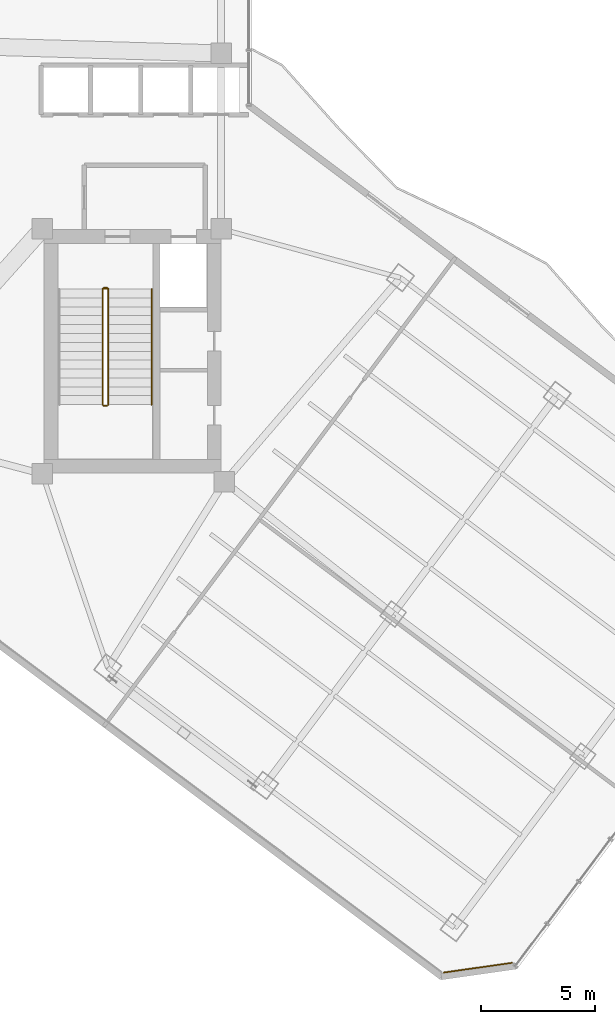
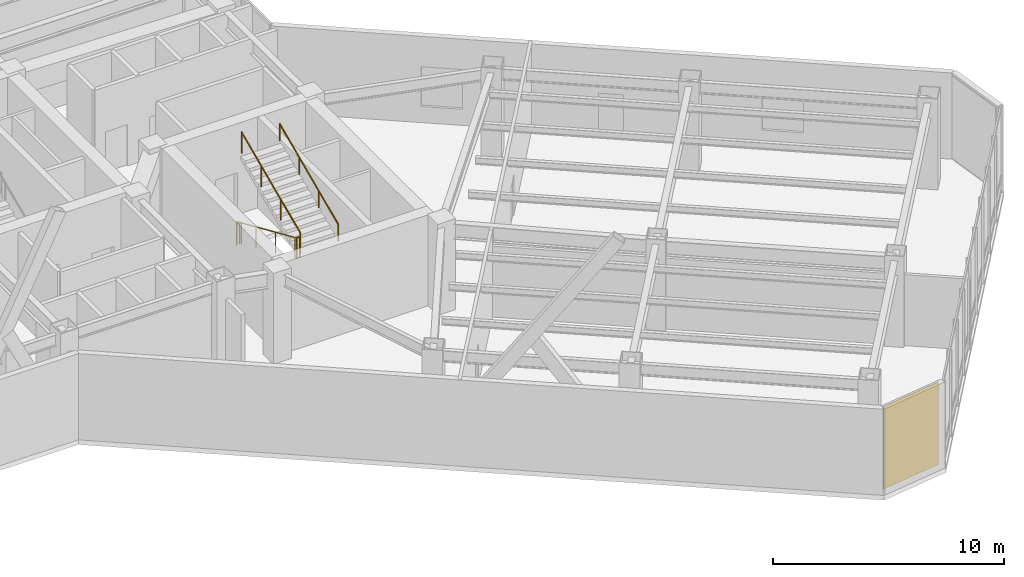
# One storey, part 24 of 27: 6 railings, 1 covering.
"""IFC4 building model written with IfcOpenShell, lengths in metres."""

from ifc_helpers import new_model, si_unit, direction, frame, origin, origin_2d, place, context, subcontext, project, spatial, rectangle, circle, extrude, material, layer, layer_set, type_object, element, save


model = new_model("IFC4")

# Units and contexts
model_context = context("Model", 3, precision=1e-05, world=origin(), true_north=direction((0.0, 1.0)))
body_context = subcontext(model_context, "Body", "Model", "MODEL_VIEW")
ifc_project = project(units=[si_unit("LENGTHUNIT", "METRE"), si_unit("AREAUNIT", "SQUARE_METRE"), si_unit("VOLUMEUNIT", "CUBIC_METRE"), si_unit("PLANEANGLEUNIT", "RADIAN"), si_unit("MASSUNIT", "GRAM", prefix="KILO")], contexts=[model_context])

# Site, building, storey
site_placement = place(None, origin())
site = spatial("IfcSite", under=ifc_project, at=site_placement, CompositionType="ELEMENT")
building_placement = place(site_placement, origin())
building = spatial("IfcBuilding", under=site, at=building_placement, Name="Hatsunagi Terrace Concourse", CompositionType="ELEMENT")
storey_placement = place(building_placement, frame((0.0, 0.0, 96.449951171875)))
storey = spatial("IfcBuildingStorey", under=building, at=storey_placement, Name="L25", CompositionType="ELEMENT", Elevation=96.449951171875)

# Railings
ifc_material_1 = material(Name="Stainless steel", Category="steel")
ifc_layer_1 = layer(ifc_material_1, 0.044921875)
ifc_layer_set_1 = layer_set([ifc_layer_1], Name="StairPitchHandrail_Tower2000")
railing_type_1 = type_object("IfcRailingType", Name="StairPitchHandrail_Tower2000", PredefinedType="HANDRAIL", material=ifc_layer_set_1)
railing_1_placement = place(storey_placement, frame((40.60009765625, 27.590087890625, 2.571533203125)))
element("IfcRailing", 1, at=railing_1_placement, inside=storey, type_object=railing_type_1, Name="L25 ST-B stair handrail 2", PredefinedType="HANDRAIL", context=body_context, shape_type="SweptSolid", body=[
    extrude(circle(Radius=0.02392578125, at=origin_2d()), frame((0.0, 0.0, 0.8759765625), z_axis=(0.0, 0.915461880969, 0.402404702373), x_axis=(-1.0, 0.0, 0.0)), (0.0, 0.0, 1.0), 5.5380859375),
    extrude(circle(Radius=0.02099609375, at=origin_2d()), origin(), (0.0, 0.0, 1.0), 0.851806640625),
    extrude(circle(Radius=0.02099609375, at=origin_2d()), frame((0.0, 1.68994140625, 0.742919921875)), (0.0, 0.0, 1.0), 0.851806640625),
    extrude(circle(Radius=0.02099609375, at=origin_2d()), frame((0.0, 3.3798828125, 1.485595703125)), (0.0, 0.0, 1.0), 0.851806640625),
    extrude(circle(Radius=0.02099609375, at=origin_2d()), frame((0.0, 5.06982421875, 2.228515625)), (0.0, 0.0, 1.0), 0.851806640625),
])
ifc_material_2 = material(Name="Stainless steel", Category="steel")
ifc_layer_2 = layer(ifc_material_2, 0.06005859375)
ifc_layer_set_2 = layer_set([ifc_layer_2], Name="StairWellGuard_Tower2000")
railing_type_2 = type_object("IfcRailingType", Name="StairWellGuard_Tower2000", PredefinedType="BALUSTRADE", material=ifc_layer_set_2)
railing_2_placement = place(storey_placement, frame((38.449951171875, 32.659912109375, 0.17138671875)))
element("IfcRailing", 2, at=railing_2_placement, inside=storey, type_object=railing_type_2, Name="L25 ST-B stair guard 1", PredefinedType="BALUSTRADE", context=body_context, shape_type="SweptSolid", body=[
    extrude(circle(Radius=0.02392578125, at=origin_2d()), frame((0.0, 0.0, 1.09619140625), z_axis=(0.0, -0.915445640336, 0.402441647435), x_axis=(1.0, 0.0, 0.0)), (0.0, 0.0, 1.0), 5.5380859375),
    extrude(circle(Radius=0.02099609375, at=origin_2d()), origin(), (0.0, 0.0, 1.0), 1.072021484375),
    extrude(circle(Radius=0.02099609375, at=origin_2d()), frame((0.0, -1.68994140625, 0.742919921875)), (0.0, 0.0, 1.0), 1.072021484375),
    extrude(circle(Radius=0.02099609375, at=origin_2d()), frame((0.0, -3.3798828125, 1.48583984375)), (0.0, 0.0, 1.0), 1.072021484375),
    extrude(circle(Radius=0.02099609375, at=origin_2d()), frame((0.0, -5.06982421875, 2.228759765625)), (0.0, 0.0, 1.0), 1.072021484375),
])
railing_3_placement = place(storey_placement, frame((38.5, 27.5400390625, 2.400146484375)))
element("IfcRailing", 3, at=railing_3_placement, inside=storey, type_object=railing_type_2, Name="L25 ST-B stair guard 2", PredefinedType="BALUSTRADE", context=body_context, shape_type="SweptSolid", body=[
    extrude(circle(Radius=0.02392578125, at=origin_2d()), frame((0.0, 0.0, 1.09619140625), z_axis=(1.0, 0.0, 0.0), x_axis=(0.0, 1.0, 0.0)), (0.0, 0.0, 1.0), 0.14990234375),
    extrude(circle(Radius=0.02099609375, at=origin_2d()), origin(), (0.0, 0.0, 1.0), 1.072021484375),
    extrude(circle(Radius=0.02099609375, at=origin_2d()), frame((0.14990234375, 0.0, 0.0)), (0.0, 0.0, 1.0), 1.072021484375),
])
railing_4_placement = place(storey_placement, frame((38.699951171875, 27.590087890625, 2.571533203125)))
element("IfcRailing", 4, at=railing_4_placement, inside=storey, type_object=railing_type_2, Name="L25 ST-B stair guard 3", PredefinedType="BALUSTRADE", context=body_context, shape_type="SweptSolid", body=[
    extrude(circle(Radius=0.02392578125, at=origin_2d()), frame((0.0, 0.0, 1.09619140625), z_axis=(0.0, 0.915461880969, 0.402404702373), x_axis=(-1.0, 0.0, 0.0)), (0.0, 0.0, 1.0), 5.5380859375),
    extrude(circle(Radius=0.02099609375, at=origin_2d()), origin(), (0.0, 0.0, 1.0), 1.072021484375),
    extrude(circle(Radius=0.02099609375, at=origin_2d()), frame((0.0, 1.68994140625, 0.742919921875)), (0.0, 0.0, 1.0), 1.072021484375),
    extrude(circle(Radius=0.02099609375, at=origin_2d()), frame((0.0, 3.3798828125, 1.485595703125)), (0.0, 0.0, 1.0), 1.072021484375),
    extrude(circle(Radius=0.02099609375, at=origin_2d()), frame((0.0, 5.06982421875, 2.228515625)), (0.0, 0.0, 1.0), 1.072021484375),
])
railing_5_placement = place(storey_placement, frame((38.5, 32.7099609375, 0.0)))
element("IfcRailing", 5, at=railing_5_placement, inside=storey, type_object=railing_type_2, Name="L25 ST-B stair guard 4", PredefinedType="BALUSTRADE", context=body_context, shape_type="SweptSolid", body=[
    extrude(circle(Radius=0.02392578125, at=origin_2d()), frame((0.0, 0.0, 1.09619140625), z_axis=(1.0, 0.0, 0.0), x_axis=(0.0, 1.0, 0.0)), (0.0, 0.0, 1.0), 0.14990234375),
    extrude(circle(Radius=0.02099609375, at=origin_2d()), origin(), (0.0, 0.0, 1.0), 1.072021484375),
    extrude(circle(Radius=0.02099609375, at=origin_2d()), frame((0.14990234375, 0.0, 0.0)), (0.0, 0.0, 1.0), 1.072021484375),
])
ifc_material_3 = material(Name="Stainless Steel SUS316 Post-and-Rail Guard", Category="steel")
ifc_layer_3 = layer(ifc_material_3, 0.080078125)
ifc_layer_set_3 = layer_set([ifc_layer_3], Name="TerracePlantedGuardRail_1200")
railing_type_3 = type_object("IfcRailingType", Name="TerracePlantedGuardRail_1200", PredefinedType="GUARDRAIL", material=ifc_layer_set_3)
railing_6_placement = place(storey_placement, frame((38.449951171875, 32.679931640625, 0.0)))
element("IfcRailing", 6, at=railing_6_placement, inside=storey, type_object=railing_type_3, Name="Stair ST-B Well Closure Guard L25", PredefinedType="GUARDRAIL", context=body_context, shape_type="SweptSolid", body=[
    extrude(circle(Radius=0.02392578125, at=origin_2d()), frame((0.0, 0.0, 1.09619140625), z_axis=(1.0, 0.0, 0.0), x_axis=(0.0, 1.0, 0.0)), (0.0, 0.0, 1.0), 0.25),
    extrude(circle(Radius=0.02099609375, at=origin_2d()), origin(), (0.0, 0.0, 1.0), 1.072021484375),
    extrude(circle(Radius=0.02099609375, at=origin_2d()), frame((0.25, 0.0, 0.0)), (0.0, 0.0, 1.0), 1.072021484375),
])

# Covering
ifc_material_4 = material(Name="Unglazed Warm Terracotta Rainscreen Tile", Category="masonry")
ifc_layer_4 = layer(ifc_material_4, 0.044921875)
ifc_layer_set_4 = layer_set([ifc_layer_4], Name="TerracottaRainscreenCladding_45")
covering_type = type_object("IfcCoveringType", Name="TerracottaRainscreenCladding_45", PredefinedType="CLADDING", material=ifc_layer_set_4)
covering_placement = place(storey_placement, frame((54.91796875, 2.87890625, 0.10009765625), z_axis=(0.0, 0.0, 1.0), x_axis=(-0.989973920543, -0.141250262458, 0.0)))
element("IfcCovering", 7, at=covering_placement, inside=storey, type_object=covering_type, Name="Terracotta Rainscreen Cladding L25-04", PredefinedType="CLADDING", context=body_context, shape_type="SweptSolid", body=[
    extrude(rectangle(XDim=3.0380859375, YDim=0.044921875, at=origin_2d()), origin(), (0.0, 0.0, 1.0), 4.35009765625),
])

save(model, "model.ifc")
